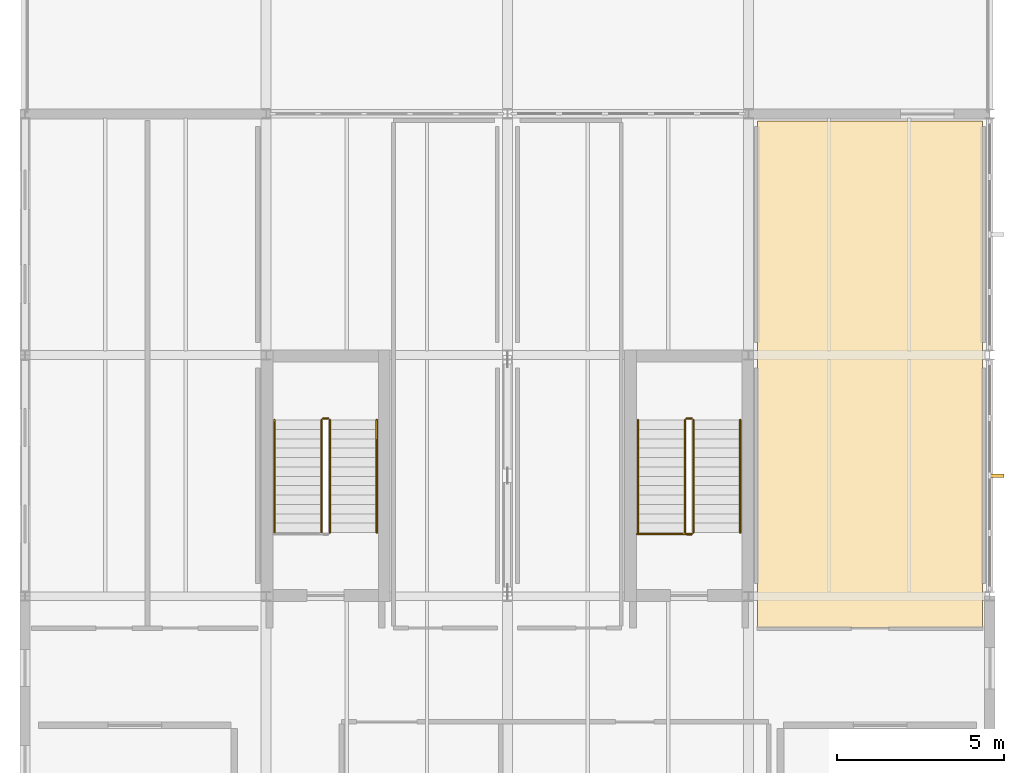
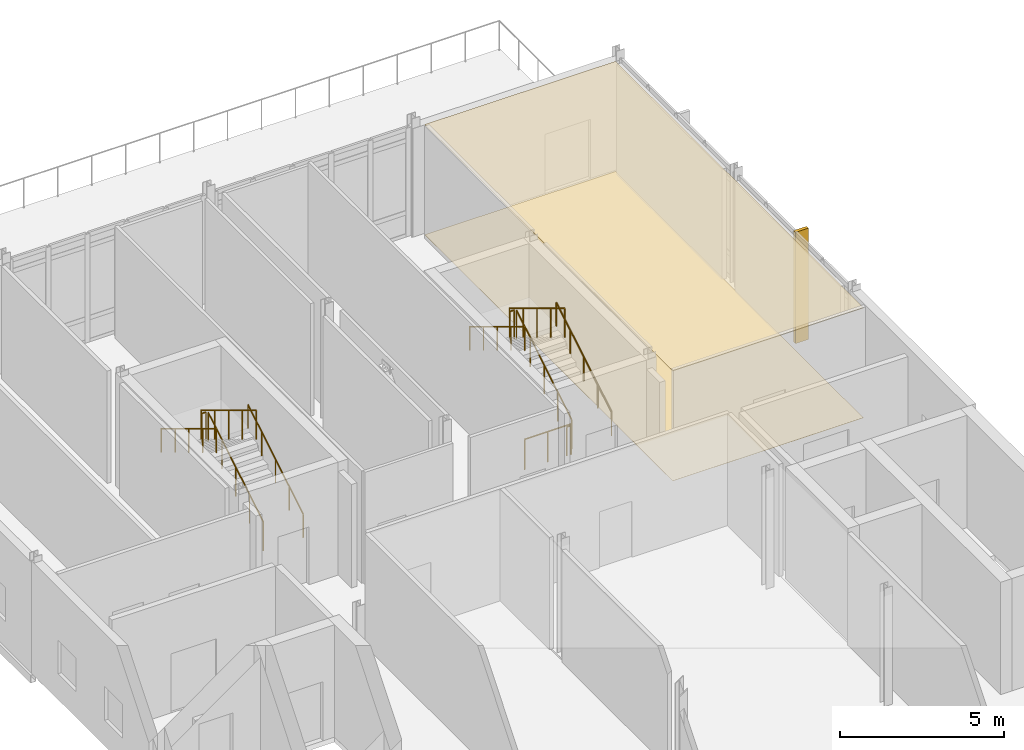
# One storey, part 11 of 12: 12 railings, 2 coverings, 1 shading device.
"""IFC4 building model written with IfcOpenShell, lengths in metres."""

from ifc_helpers import new_model, si_unit, direction, frame, origin, origin_2d, place, context, subcontext, project, spatial, polyline, rectangle, circle, outline, extrude, material, layer, layer_set, type_object, element, save


model = new_model("IFC4")

# Units and contexts
model_context = context("Model", 3, precision=1e-05, world=origin(), true_north=direction((0.0, 1.0)))
body_context = subcontext(model_context, "Body", "Model", "MODEL_VIEW")
ifc_project = project(units=[si_unit("LENGTHUNIT", "METRE"), si_unit("AREAUNIT", "SQUARE_METRE"), si_unit("VOLUMEUNIT", "CUBIC_METRE"), si_unit("PLANEANGLEUNIT", "RADIAN"), si_unit("MASSUNIT", "GRAM", prefix="KILO")], contexts=[model_context])

# Site, building, storey
site_placement = place(None, origin())
site = spatial("IfcSite", under=ifc_project, at=site_placement, CompositionType="ELEMENT")
building_placement = place(site_placement, origin())
building = spatial("IfcBuilding", under=site, at=building_placement, Name="Zarrinpeak Specialist Clinic", CompositionType="ELEMENT")
storey_placement = place(building_placement, frame((0.0, 0.0, 27.199951171875)))
storey = spatial("IfcBuildingStorey", under=building, at=storey_placement, Name="L06", CompositionType="ELEMENT", Elevation=27.199951171875)

# Coverings
ifc_material_1 = material(Name="Hygienic Acoustic Mineral Fibre Tile")
ifc_layer_1 = layer(ifc_material_1, 0.02490234375)
ifc_layer_set_1 = layer_set([ifc_layer_1], Name="Hygienic Acoustic Mineral Fibre Tile")
covering_type_1 = type_object("IfcCoveringType", Name="CV-CEIL-AC", PredefinedType="CEILING", material=ifc_layer_set_1)
covering_1_placement = place(storey_placement, frame((0.0, 0.0, 4.0849609375)))
element("IfcCovering", 1, at=covering_1_placement, inside=storey, type_object=covering_type_1, Name="L06 Specialist Consultation Room 1 Hygienic Acoustic Ceiling", PredefinedType="CEILING", context=body_context, shape_type="SweptSolid", body=[
    extrude(outline(polyline([(21.8701171875, 20.669921875), (28.580078125, 20.669921875), (28.580078125, 35.780029296875), (21.8701171875, 35.780029296875), (21.8701171875, 20.669921875)])), origin(), (0.0, 0.0, 1.0), 0.025146484375),
])
ifc_material_2 = material(Name="Homogeneous Antimicrobial Clinical Vinyl")
ifc_layer_2 = layer(ifc_material_2, 0.008056640625)
ifc_layer_set_2 = layer_set([ifc_layer_2], Name="Homogeneous Antimicrobial Clinical Vinyl")
covering_type_2 = type_object("IfcCoveringType", Name="CV-FLR-VN", PredefinedType="FLOORING", material=ifc_layer_set_2)
covering_2_placement = place(storey_placement, frame((0.0, 0.0, 0.0009765625)))
element("IfcCovering", 2, at=covering_2_placement, inside=storey, type_object=covering_type_2, Name="L06 Specialist Consultation Room 1 Antimicrobial Vinyl Flooring", PredefinedType="FLOORING", context=body_context, shape_type="SweptSolid", body=[
    extrude(outline(polyline([(21.8701171875, 20.669921875), (28.580078125, 20.669921875), (28.580078125, 35.780029296875), (21.8701171875, 35.780029296875), (21.8701171875, 20.669921875)])), origin(), (0.0, 0.0, 1.0), 0.008056640625),
])

# Railings
ifc_material_3 = material(Name="Laminated Safety Glass and Stainless Steel 316", Category="steel")
ifc_layer_3 = layer(ifc_material_3, 0.06005859375)
ifc_layer_set_3 = layer_set([ifc_layer_3], Name="Laminated Safety Glass and Stainless Steel 316")
railing_type_1 = type_object("IfcRailingType", Name="RL-GRD115", PredefinedType="GUARDRAIL", material=ifc_layer_set_3)
railing_1_placement = place(storey_placement, frame((18.27001953125, 23.4599609375, 0.0)))
element("IfcRailing", 3, at=railing_1_placement, inside=storey, type_object=railing_type_1, Name="L06 Attic Stair ST-14 Floor Edge Guardrail", PredefinedType="GUARDRAIL", context=body_context, shape_type="SweptSolid", body=[
    extrude(circle(Radius=0.02392578125, at=origin_2d()), frame((0.0, 0.0, 1.1259765625), z_axis=(1.0, 0.0, 0.0), x_axis=(0.0, 1.0, 0.0)), (0.0, 0.0, 1.0), 1.6298828125),
    extrude(circle(Radius=0.02099609375, at=origin_2d()), origin(), (0.0, 0.0, 1.0), 1.101806640625),
    extrude(circle(Radius=0.02099609375, at=origin_2d()), frame((0.81494140625, 0.0, 0.0)), (0.0, 0.0, 1.0), 1.101806640625),
    extrude(circle(Radius=0.02099609375, at=origin_2d()), frame((1.6298828125, 0.0, 0.0)), (0.0, 0.0, 1.0), 1.101806640625),
])
railing_2_placement = place(storey_placement, frame((9.10009765625, 23.5, 0.169189453125)))
element("IfcRailing", 4, at=railing_2_placement, inside=storey, type_object=railing_type_1, Name="L06 ST-13 stair guard 1", PredefinedType="GUARDRAIL", context=body_context, shape_type="SweptSolid", body=[
    extrude(circle(Radius=0.02392578125, at=origin_2d()), frame((0.0, 0.0, 1.076171875), z_axis=(0.0, 0.855836976705, 0.517245656632), x_axis=(-1.0, 0.0, 0.0)), (0.0, 0.0, 1.0), 3.926025390625),
    extrude(circle(Radius=0.02099609375, at=origin_2d()), origin(), (0.0, 0.0, 1.0), 1.052001953125),
    extrude(circle(Radius=0.02099609375, at=origin_2d()), frame((0.0, 0.840087890625, 0.5078125)), (0.0, 0.0, 1.0), 1.052001953125),
    extrude(circle(Radius=0.02099609375, at=origin_2d()), frame((0.0, 1.68017578125, 1.015380859375)), (0.0, 0.0, 1.0), 1.052001953125),
    extrude(circle(Radius=0.02099609375, at=origin_2d()), frame((0.0, 2.52001953125, 1.52294921875)), (0.0, 0.0, 1.0), 1.052001953125),
    extrude(circle(Radius=0.02099609375, at=origin_2d()), frame((0.0, 3.360107421875, 2.03076171875)), (0.0, 0.0, 1.0), 1.052001953125),
])
railing_3_placement = place(storey_placement, frame((9.050048828125, 26.909912109375, 2.199951171875)))
element("IfcRailing", 5, at=railing_3_placement, inside=storey, type_object=railing_type_1, Name="L06 ST-13 stair guard 2", PredefinedType="GUARDRAIL", context=body_context, shape_type="SweptSolid", body=[
    extrude(circle(Radius=0.02392578125, at=origin_2d()), frame((0.0, 0.0, 1.076171875), z_axis=(-1.0, 0.0, 0.0), x_axis=(0.0, -1.0, 0.0)), (0.0, 0.0, 1.0), 0.150146484375),
    extrude(circle(Radius=0.02099609375, at=origin_2d()), origin(), (0.0, 0.0, 1.0), 1.052001953125),
    extrude(circle(Radius=0.02099609375, at=origin_2d()), frame((-0.150146484375, 0.0, 0.0)), (0.0, 0.0, 1.0), 1.052001953125),
])
railing_4_placement = place(storey_placement, frame((8.85009765625, 26.860107421875, 2.369384765625)))
element("IfcRailing", 6, at=railing_4_placement, inside=storey, type_object=railing_type_1, Name="L06 ST-13 stair guard 3", PredefinedType="GUARDRAIL", context=body_context, shape_type="SweptSolid", body=[
    extrude(circle(Radius=0.02392578125, at=origin_2d()), frame((0.0, 0.0, 1.076171875), z_axis=(0.0, -0.855836976705, 0.517245656632), x_axis=(1.0, 0.0, 0.0)), (0.0, 0.0, 1.0), 3.926025390625),
    extrude(circle(Radius=0.02099609375, at=origin_2d()), origin(), (0.0, 0.0, 1.0), 1.052001953125),
    extrude(circle(Radius=0.02099609375, at=origin_2d()), frame((0.0, -0.840087890625, 0.5078125)), (0.0, 0.0, 1.0), 1.052001953125),
    extrude(circle(Radius=0.02099609375, at=origin_2d()), frame((0.0, -1.68017578125, 1.015380859375)), (0.0, 0.0, 1.0), 1.052001953125),
    extrude(circle(Radius=0.02099609375, at=origin_2d()), frame((0.0, -2.52001953125, 1.52294921875)), (0.0, 0.0, 1.0), 1.052001953125),
    extrude(circle(Radius=0.02099609375, at=origin_2d()), frame((0.0, -3.360107421875, 2.03076171875)), (0.0, 0.0, 1.0), 1.052001953125),
])
railing_5_placement = place(storey_placement, frame((19.949951171875, 23.5, 0.169189453125)))
element("IfcRailing", 7, at=railing_5_placement, inside=storey, type_object=railing_type_1, Name="L06 ST-14 stair guard 1", PredefinedType="GUARDRAIL", context=body_context, shape_type="SweptSolid", body=[
    extrude(circle(Radius=0.02392578125, at=origin_2d()), frame((0.0, 0.0, 1.076171875), z_axis=(0.0, 0.855836976705, 0.517245656632), x_axis=(-1.0, 0.0, 0.0)), (0.0, 0.0, 1.0), 3.926025390625),
    extrude(circle(Radius=0.02099609375, at=origin_2d()), origin(), (0.0, 0.0, 1.0), 1.052001953125),
    extrude(circle(Radius=0.02099609375, at=origin_2d()), frame((0.0, 0.840087890625, 0.5078125)), (0.0, 0.0, 1.0), 1.052001953125),
    extrude(circle(Radius=0.02099609375, at=origin_2d()), frame((0.0, 1.68017578125, 1.015380859375)), (0.0, 0.0, 1.0), 1.052001953125),
    extrude(circle(Radius=0.02099609375, at=origin_2d()), frame((0.0, 2.52001953125, 1.52294921875)), (0.0, 0.0, 1.0), 1.052001953125),
    extrude(circle(Radius=0.02099609375, at=origin_2d()), frame((0.0, 3.360107421875, 2.03076171875)), (0.0, 0.0, 1.0), 1.052001953125),
])
railing_6_placement = place(storey_placement, frame((19.89990234375, 26.909912109375, 2.199951171875)))
element("IfcRailing", 8, at=railing_6_placement, inside=storey, type_object=railing_type_1, Name="L06 ST-14 stair guard 2", PredefinedType="GUARDRAIL", context=body_context, shape_type="SweptSolid", body=[
    extrude(circle(Radius=0.02392578125, at=origin_2d()), frame((0.0, 0.0, 1.076171875), z_axis=(-1.0, 0.0, 0.0), x_axis=(0.0, -1.0, 0.0)), (0.0, 0.0, 1.0), 0.14990234375),
    extrude(circle(Radius=0.02099609375, at=origin_2d()), origin(), (0.0, 0.0, 1.0), 1.052001953125),
    extrude(circle(Radius=0.02099609375, at=origin_2d()), frame((-0.14990234375, 0.0, 0.0)), (0.0, 0.0, 1.0), 1.052001953125),
])
railing_7_placement = place(storey_placement, frame((19.699951171875, 26.860107421875, 2.369384765625)))
element("IfcRailing", 9, at=railing_7_placement, inside=storey, type_object=railing_type_1, Name="L06 ST-14 stair guard 3", PredefinedType="GUARDRAIL", context=body_context, shape_type="SweptSolid", body=[
    extrude(circle(Radius=0.02392578125, at=origin_2d()), frame((0.0, 0.0, 1.076171875), z_axis=(0.0, -0.855836976705, 0.517245656632), x_axis=(1.0, 0.0, 0.0)), (0.0, 0.0, 1.0), 3.926025390625),
    extrude(circle(Radius=0.02099609375, at=origin_2d()), origin(), (0.0, 0.0, 1.0), 1.052001953125),
    extrude(circle(Radius=0.02099609375, at=origin_2d()), frame((0.0, -0.840087890625, 0.5078125)), (0.0, 0.0, 1.0), 1.052001953125),
    extrude(circle(Radius=0.02099609375, at=origin_2d()), frame((0.0, -1.68017578125, 1.015380859375)), (0.0, 0.0, 1.0), 1.052001953125),
    extrude(circle(Radius=0.02099609375, at=origin_2d()), frame((0.0, -2.52001953125, 1.52294921875)), (0.0, 0.0, 1.0), 1.052001953125),
    extrude(circle(Radius=0.02099609375, at=origin_2d()), frame((0.0, -3.360107421875, 2.03076171875)), (0.0, 0.0, 1.0), 1.052001953125),
])
railing_8_placement = place(storey_placement, frame((19.89990234375, 23.449951171875, 0.0)))
element("IfcRailing", 10, at=railing_8_placement, inside=storey, type_object=railing_type_1, Name="L06 ST-14 stair guard 4", PredefinedType="GUARDRAIL", context=body_context, shape_type="SweptSolid", body=[
    extrude(circle(Radius=0.02392578125, at=origin_2d()), frame((0.0, 0.0, 1.076171875), z_axis=(-1.0, 0.0, 0.0), x_axis=(0.0, -1.0, 0.0)), (0.0, 0.0, 1.0), 0.14990234375),
    extrude(circle(Radius=0.02099609375, at=origin_2d()), origin(), (0.0, 0.0, 1.0), 1.052001953125),
    extrude(circle(Radius=0.02099609375, at=origin_2d()), frame((-0.14990234375, 0.0, 0.0)), (0.0, 0.0, 1.0), 1.052001953125),
])
ifc_material_4 = material(Name="Brushed Stainless Steel 316 Handrail", Category="steel")
ifc_layer_4 = layer(ifc_material_4, 0.050048828125)
ifc_layer_set_4 = layer_set([ifc_layer_4], Name="Brushed Stainless Steel 316 Handrail")
railing_type_2 = type_object("IfcRailingType", Name="RL-HND92", PredefinedType="HANDRAIL", material=ifc_layer_set_4)
railing_9_placement = place(storey_placement, frame((10.5, 23.5, 0.169189453125)))
element("IfcRailing", 11, at=railing_9_placement, inside=storey, type_object=railing_type_2, Name="L06 ST-13 stair handrail 1", PredefinedType="HANDRAIL", context=body_context, shape_type="SweptSolid", body=[
    extrude(circle(Radius=0.02392578125, at=origin_2d()), frame((0.0, 0.0, 0.8759765625), z_axis=(0.0, 0.855836976705, 0.517245656632), x_axis=(-1.0, 0.0, 0.0)), (0.0, 0.0, 1.0), 3.926025390625),
    extrude(circle(Radius=0.02099609375, at=origin_2d()), origin(), (0.0, 0.0, 1.0), 0.851806640625),
    extrude(circle(Radius=0.02099609375, at=origin_2d()), frame((0.0, 0.840087890625, 0.5078125)), (0.0, 0.0, 1.0), 0.851806640625),
    extrude(circle(Radius=0.02099609375, at=origin_2d()), frame((0.0, 1.68017578125, 1.015380859375)), (0.0, 0.0, 1.0), 0.851806640625),
    extrude(circle(Radius=0.02099609375, at=origin_2d()), frame((0.0, 2.52001953125, 1.52294921875)), (0.0, 0.0, 1.0), 0.851806640625),
    extrude(circle(Radius=0.02099609375, at=origin_2d()), frame((0.0, 3.360107421875, 2.03076171875)), (0.0, 0.0, 1.0), 0.851806640625),
])
railing_10_placement = place(storey_placement, frame((7.449951171875, 26.860107421875, 2.369384765625)))
element("IfcRailing", 12, at=railing_10_placement, inside=storey, type_object=railing_type_2, Name="L06 ST-13 stair handrail 2", PredefinedType="HANDRAIL", context=body_context, shape_type="SweptSolid", body=[
    extrude(circle(Radius=0.02392578125, at=origin_2d()), frame((0.0, 0.0, 0.8759765625), z_axis=(0.0, -0.855836976705, 0.517245656632), x_axis=(1.0, 0.0, 0.0)), (0.0, 0.0, 1.0), 3.926025390625),
    extrude(circle(Radius=0.02099609375, at=origin_2d()), origin(), (0.0, 0.0, 1.0), 0.851806640625),
    extrude(circle(Radius=0.02099609375, at=origin_2d()), frame((0.0, -0.840087890625, 0.5078125)), (0.0, 0.0, 1.0), 0.851806640625),
    extrude(circle(Radius=0.02099609375, at=origin_2d()), frame((0.0, -1.68017578125, 1.015380859375)), (0.0, 0.0, 1.0), 0.851806640625),
    extrude(circle(Radius=0.02099609375, at=origin_2d()), frame((0.0, -2.52001953125, 1.52294921875)), (0.0, 0.0, 1.0), 0.851806640625),
    extrude(circle(Radius=0.02099609375, at=origin_2d()), frame((0.0, -3.360107421875, 2.03076171875)), (0.0, 0.0, 1.0), 0.851806640625),
])
railing_11_placement = place(storey_placement, frame((21.35009765625, 23.5, 0.169189453125)))
element("IfcRailing", 13, at=railing_11_placement, inside=storey, type_object=railing_type_2, Name="L06 ST-14 stair handrail 1", PredefinedType="HANDRAIL", context=body_context, shape_type="SweptSolid", body=[
    extrude(circle(Radius=0.02392578125, at=origin_2d()), frame((0.0, 0.0, 0.8759765625), z_axis=(0.0, 0.855836976705, 0.517245656632), x_axis=(-1.0, 0.0, 0.0)), (0.0, 0.0, 1.0), 3.926025390625),
    extrude(circle(Radius=0.02099609375, at=origin_2d()), origin(), (0.0, 0.0, 1.0), 0.851806640625),
    extrude(circle(Radius=0.02099609375, at=origin_2d()), frame((0.0, 0.840087890625, 0.5078125)), (0.0, 0.0, 1.0), 0.851806640625),
    extrude(circle(Radius=0.02099609375, at=origin_2d()), frame((0.0, 1.68017578125, 1.015380859375)), (0.0, 0.0, 1.0), 0.851806640625),
    extrude(circle(Radius=0.02099609375, at=origin_2d()), frame((0.0, 2.52001953125, 1.52294921875)), (0.0, 0.0, 1.0), 0.851806640625),
    extrude(circle(Radius=0.02099609375, at=origin_2d()), frame((0.0, 3.360107421875, 2.03076171875)), (0.0, 0.0, 1.0), 0.851806640625),
])
railing_12_placement = place(storey_placement, frame((18.300048828125, 26.860107421875, 2.369384765625)))
element("IfcRailing", 14, at=railing_12_placement, inside=storey, type_object=railing_type_2, Name="L06 ST-14 stair handrail 2", PredefinedType="HANDRAIL", context=body_context, shape_type="SweptSolid", body=[
    extrude(circle(Radius=0.02392578125, at=origin_2d()), frame((0.0, 0.0, 0.8759765625), z_axis=(0.0, -0.855836976705, 0.517245656632), x_axis=(1.0, 0.0, 0.0)), (0.0, 0.0, 1.0), 3.926025390625),
    extrude(circle(Radius=0.02099609375, at=origin_2d()), origin(), (0.0, 0.0, 1.0), 0.851806640625),
    extrude(circle(Radius=0.02099609375, at=origin_2d()), frame((0.0, -0.840087890625, 0.5078125)), (0.0, 0.0, 1.0), 0.851806640625),
    extrude(circle(Radius=0.02099609375, at=origin_2d()), frame((0.0, -1.68017578125, 1.015380859375)), (0.0, 0.0, 1.0), 0.851806640625),
    extrude(circle(Radius=0.02099609375, at=origin_2d()), frame((0.0, -2.52001953125, 1.52294921875)), (0.0, 0.0, 1.0), 0.851806640625),
    extrude(circle(Radius=0.02099609375, at=origin_2d()), frame((0.0, -3.360107421875, 2.03076171875)), (0.0, 0.0, 1.0), 0.851806640625),
])

# Shading device
ifc_material_5 = material(Name="Glulam GL28h", Category="wood")
shading_device_type = type_object("IfcShadingDeviceType", Name="SHD-FIN-GL", PredefinedType="USERDEFINED", material=ifc_material_5)
shading_device_placement = place(storey_placement, frame((29.0, 25.199951171875, -0.01513671875), z_axis=(0.0, 0.0, 1.0), x_axis=(1.0, 0.0, 0.0)))
element("IfcShadingDevice", 15, at=shading_device_placement, inside=storey, type_object=shading_device_type, Name="L06 V1 Cedar-Glulam Courtyard Fin FIN-024", ObjectType="SUNSHADE", PredefinedType="USERDEFINED", context=body_context, shape_type="SweptSolid", body=[
    extrude(rectangle(XDim=0.449951171875, YDim=0.110107421875, at=origin_2d()), origin(), (0.0, 0.0, 1.0), 4.139892578125),
])

save(model, "model.ifc")
